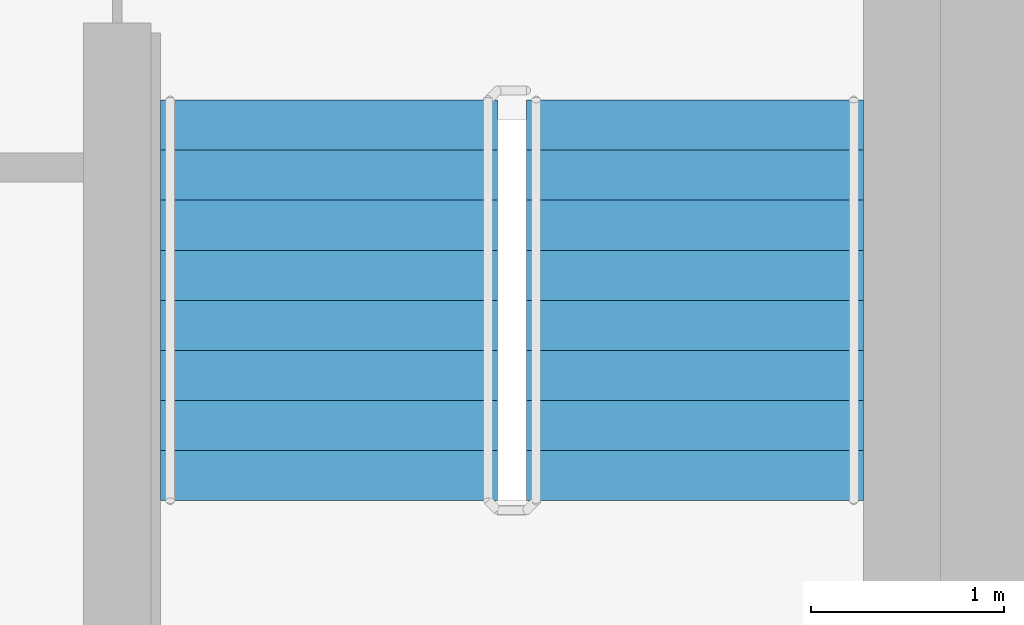
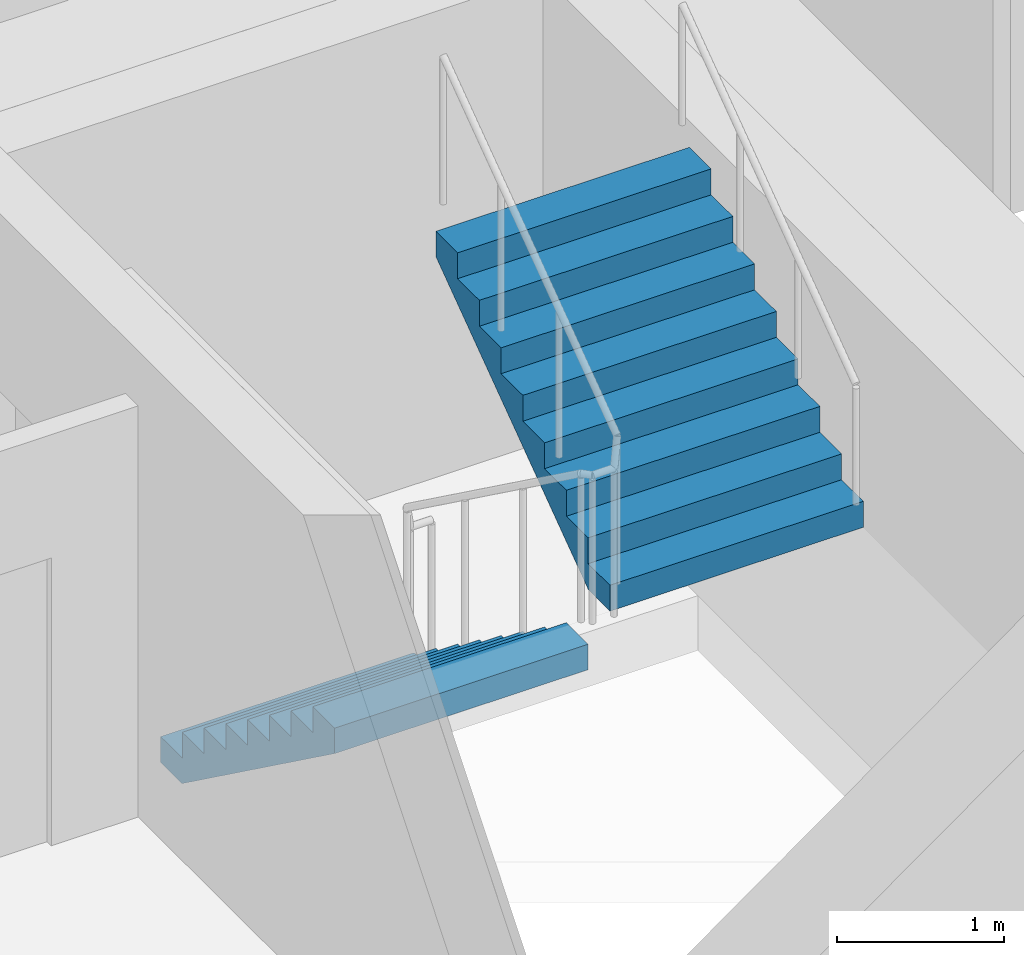
# One storey, part 14 of 18: 2 stair flights, 1 element without a shape of its own.
"""IFC4 building model written with IfcOpenShell, lengths in metres."""

from ifc_helpers import new_model, si_unit, direction, frame, origin, place, context, subcontext, project, spatial, faceted_brep, material, type_object, element, aggregate, save


model = new_model("IFC4")

# Units and contexts
model_context = context("Model", 3, precision=1e-05, world=origin(), true_north=direction((0.0, 1.0)))
body_context = subcontext(model_context, "Body", "Model", "MODEL_VIEW")
ifc_project = project(units=[si_unit("LENGTHUNIT", "METRE"), si_unit("AREAUNIT", "SQUARE_METRE"), si_unit("VOLUMEUNIT", "CUBIC_METRE"), si_unit("PLANEANGLEUNIT", "RADIAN"), si_unit("MASSUNIT", "GRAM", prefix="KILO")], contexts=[model_context])

# Site, building, storey
site_placement = place(None, origin())
site = spatial("IfcSite", under=ifc_project, at=site_placement, CompositionType="ELEMENT")
building_placement = place(site_placement, origin())
building = spatial("IfcBuilding", under=site, at=building_placement, Name="Ipe Terrace Towers", CompositionType="ELEMENT")
storey_placement = place(building_placement, frame((0.0, 0.0, 150.699951171875)))
storey = spatial("IfcBuildingStorey", under=building, at=storey_placement, Name="L41", CompositionType="ELEMENT", Elevation=150.699951171875)

# Stair, stair flights
ifc_material_1 = material(Name="Concrete C30/37", Category="concrete")
stair_type = type_object("IfcStairType", Name="Protected exit stair", PredefinedType="HALF_TURN_STAIR", material=ifc_material_1)
stair_placement = place(storey_placement, origin())
stair = element("IfcStair", 1, at=stair_placement, inside=storey, type_object=stair_type, Name="L41 Exit stair T2-C2", PredefinedType="HALF_TURN_STAIR")
ifc_material_2 = material(Name="Concrete C30/37", Category="concrete")
stair_flight_type = type_object("IfcStairFlightType", Name="Exit stair flight 1750", PredefinedType="STRAIGHT", material=ifc_material_2)
stair_flight_1_placement = place(storey_placement, frame((38.77490234375, -9.699951171875, 0.0), z_axis=(0.0, 0.0, 1.0), x_axis=(0.0, -1.0, 0.0)))
stair_flight_1 = element("IfcStairFlight", 2, at=stair_flight_1_placement, type_object=stair_flight_type, Name="T2-ST2 flight 1", NumberOfRisers=9, NumberOfTreads=8, PredefinedType="STRAIGHT", RiserHeight=0.188888889, TreadLength=0.26, context=body_context, shape_type="Brep", body=[
    faceted_brep([(0.255126953125, -0.875, 0.0), (2.080078125, -0.875, 1.325927734375), (2.080078125, -0.875, 1.51123046875), (1.820068359375, -0.875, 1.51123046875), (1.820068359375, -0.875, 1.322265625), (1.56005859375, -0.875, 1.322265625), (1.56005859375, -0.875, 1.13330078125), (1.300048828125, -0.875, 1.13330078125), (1.300048828125, -0.875, 0.9443359375), (1.0400390625, -0.875, 0.9443359375), (1.0400390625, -0.875, 0.755615234375), (0.780029296875, -0.875, 0.755615234375), (0.780029296875, -0.875, 0.566650390625), (0.52001953125, -0.875, 0.566650390625), (0.52001953125, -0.875, 0.377685546875), (0.260009765625, -0.875, 0.377685546875), (0.260009765625, -0.875, 0.18896484375), (0.0, -0.875, 0.18896484375), (0.0, -0.875, 0.0), (0.0, 0.875, 0.0), (0.0, 0.875, 0.18896484375), (0.260009765625, 0.875, 0.18896484375), (0.260009765625, 0.875, 0.377685546875), (0.52001953125, 0.875, 0.377685546875), (0.52001953125, 0.875, 0.566650390625), (0.780029296875, 0.875, 0.566650390625), (0.780029296875, 0.875, 0.755615234375), (1.0400390625, 0.875, 0.755615234375), (1.0400390625, 0.875, 0.9443359375), (1.300048828125, 0.875, 0.9443359375), (1.300048828125, 0.875, 1.13330078125), (1.56005859375, 0.875, 1.13330078125), (1.56005859375, 0.875, 1.322265625), (1.820068359375, 0.875, 1.322265625), (1.820068359375, 0.875, 1.51123046875), (2.080078125, 0.875, 1.51123046875), (2.080078125, 0.875, 1.325927734375), (0.255126953125, 0.875, 0.0), (0.0, -0.300048828125, 0.18896484375), (0.0, -0.1201171875, 0.18896484375), (0.0, -0.06005859375, 0.18896484375), (0.0, -0.030029296875, 0.18896484375), (0.0, -0.010009765625, 0.18896484375), (0.0, 0.0, 0.18896484375), (0.0, 0.010009765625, 0.18896484375), (0.0, 0.030029296875, 0.18896484375), (0.0, 0.06005859375, 0.18896484375), (0.0, 0.1201171875, 0.18896484375), (0.0, 0.300048828125, 0.18896484375), (0.0, 0.300048828125, 0.0), (0.0, 0.1201171875, 0.0), (0.0, 0.06005859375, 0.0), (0.0, 0.030029296875, 0.0), (0.0, 0.010009765625, 0.0), (0.0, 0.0, 0.0), (0.0, -0.010009765625, 0.0), (0.0, -0.030029296875, 0.0), (0.0, -0.06005859375, 0.0), (0.0, -0.1201171875, 0.0), (0.0, -0.300048828125, 0.0), (0.260009765625, -0.300048828125, 0.18896484375), (0.260009765625, -0.1201171875, 0.18896484375), (0.260009765625, -0.06005859375, 0.18896484375), (0.260009765625, -0.030029296875, 0.18896484375), (0.260009765625, -0.010009765625, 0.18896484375), (0.260009765625, 0.0, 0.18896484375), (0.260009765625, 0.010009765625, 0.18896484375), (0.260009765625, 0.030029296875, 0.18896484375), (0.260009765625, 0.06005859375, 0.18896484375), (0.260009765625, 0.1201171875, 0.18896484375), (0.260009765625, 0.300048828125, 0.18896484375), (0.260009765625, -0.300048828125, 0.377685546875), (0.260009765625, -0.1201171875, 0.377685546875), (0.260009765625, -0.06005859375, 0.377685546875), (0.260009765625, -0.030029296875, 0.377685546875), (0.260009765625, -0.010009765625, 0.377685546875), (0.260009765625, 0.0, 0.377685546875), (0.260009765625, 0.010009765625, 0.377685546875), (0.260009765625, 0.030029296875, 0.377685546875), (0.260009765625, 0.06005859375, 0.377685546875), (0.260009765625, 0.1201171875, 0.377685546875), (0.260009765625, 0.300048828125, 0.377685546875), (0.52001953125, -0.300048828125, 0.377685546875), (0.52001953125, -0.1201171875, 0.377685546875), (0.52001953125, -0.06005859375, 0.377685546875), (0.52001953125, -0.030029296875, 0.377685546875), (0.52001953125, -0.010009765625, 0.377685546875), (0.52001953125, 0.0, 0.377685546875), (0.52001953125, 0.010009765625, 0.377685546875), (0.52001953125, 0.030029296875, 0.377685546875), (0.52001953125, 0.06005859375, 0.377685546875), (0.52001953125, 0.1201171875, 0.377685546875), (0.52001953125, 0.300048828125, 0.377685546875), (0.52001953125, -0.300048828125, 0.566650390625), (0.52001953125, -0.1201171875, 0.566650390625), (0.52001953125, -0.06005859375, 0.566650390625), (0.52001953125, -0.030029296875, 0.566650390625), (0.52001953125, -0.010009765625, 0.566650390625), (0.52001953125, 0.0, 0.566650390625), (0.52001953125, 0.010009765625, 0.566650390625), (0.52001953125, 0.030029296875, 0.566650390625), (0.52001953125, 0.06005859375, 0.566650390625), (0.52001953125, 0.1201171875, 0.566650390625), (0.52001953125, 0.300048828125, 0.566650390625), (0.780029296875, -0.300048828125, 0.566650390625), (0.780029296875, -0.1201171875, 0.566650390625), (0.780029296875, -0.06005859375, 0.566650390625), (0.780029296875, -0.030029296875, 0.566650390625), (0.780029296875, -0.010009765625, 0.566650390625), (0.780029296875, 0.0, 0.566650390625), (0.780029296875, 0.010009765625, 0.566650390625), (0.780029296875, 0.030029296875, 0.566650390625), (0.780029296875, 0.06005859375, 0.566650390625), (0.780029296875, 0.1201171875, 0.566650390625), (0.780029296875, 0.300048828125, 0.566650390625), (0.780029296875, -0.300048828125, 0.755615234375), (0.780029296875, -0.1201171875, 0.755615234375), (0.780029296875, -0.06005859375, 0.755615234375), (0.780029296875, -0.030029296875, 0.755615234375), (0.780029296875, -0.010009765625, 0.755615234375), (0.780029296875, 0.0, 0.755615234375), (0.780029296875, 0.010009765625, 0.755615234375), (0.780029296875, 0.030029296875, 0.755615234375), (0.780029296875, 0.06005859375, 0.755615234375), (0.780029296875, 0.1201171875, 0.755615234375), (0.780029296875, 0.300048828125, 0.755615234375), (1.0400390625, -0.300048828125, 0.755615234375), (1.0400390625, -0.1201171875, 0.755615234375), (1.0400390625, -0.06005859375, 0.755615234375), (1.0400390625, -0.030029296875, 0.755615234375), (1.0400390625, -0.010009765625, 0.755615234375), (1.0400390625, 0.0, 0.755615234375), (1.0400390625, 0.010009765625, 0.755615234375), (1.0400390625, 0.030029296875, 0.755615234375), (1.0400390625, 0.06005859375, 0.755615234375), (1.0400390625, 0.1201171875, 0.755615234375), (1.0400390625, 0.300048828125, 0.755615234375), (1.0400390625, -0.300048828125, 0.9443359375), (1.0400390625, -0.1201171875, 0.9443359375), (1.0400390625, -0.06005859375, 0.9443359375), (1.0400390625, -0.030029296875, 0.9443359375), (1.0400390625, -0.010009765625, 0.9443359375), (1.0400390625, 0.0, 0.9443359375), (1.0400390625, 0.010009765625, 0.9443359375), (1.0400390625, 0.030029296875, 0.9443359375), (1.0400390625, 0.06005859375, 0.9443359375), (1.0400390625, 0.1201171875, 0.9443359375), (1.0400390625, 0.300048828125, 0.9443359375), (1.300048828125, -0.300048828125, 0.9443359375), (1.300048828125, -0.1201171875, 0.9443359375), (1.300048828125, -0.06005859375, 0.9443359375), (1.300048828125, -0.030029296875, 0.9443359375), (1.300048828125, -0.010009765625, 0.9443359375), (1.300048828125, 0.0, 0.9443359375), (1.300048828125, 0.010009765625, 0.9443359375), (1.300048828125, 0.030029296875, 0.9443359375), (1.300048828125, 0.06005859375, 0.9443359375), (1.300048828125, 0.1201171875, 0.9443359375), (1.300048828125, 0.300048828125, 0.9443359375), (1.300048828125, -0.300048828125, 1.13330078125), (1.300048828125, -0.1201171875, 1.13330078125), (1.300048828125, -0.06005859375, 1.13330078125), (1.300048828125, -0.030029296875, 1.13330078125), (1.300048828125, -0.010009765625, 1.13330078125), (1.300048828125, 0.0, 1.13330078125), (1.300048828125, 0.010009765625, 1.13330078125), (1.300048828125, 0.030029296875, 1.13330078125), (1.300048828125, 0.06005859375, 1.13330078125), (1.300048828125, 0.1201171875, 1.13330078125), (1.300048828125, 0.300048828125, 1.13330078125), (1.56005859375, -0.300048828125, 1.13330078125), (1.56005859375, -0.1201171875, 1.13330078125), (1.56005859375, -0.06005859375, 1.13330078125), (1.56005859375, -0.030029296875, 1.13330078125), (1.56005859375, -0.010009765625, 1.13330078125), (1.56005859375, 0.0, 1.13330078125), (1.56005859375, 0.010009765625, 1.13330078125), (1.56005859375, 0.030029296875, 1.13330078125), (1.56005859375, 0.06005859375, 1.13330078125), (1.56005859375, 0.1201171875, 1.13330078125), (1.56005859375, 0.300048828125, 1.13330078125), (1.56005859375, -0.300048828125, 1.322265625), (1.56005859375, -0.1201171875, 1.322265625), (1.56005859375, -0.06005859375, 1.322265625), (1.56005859375, -0.030029296875, 1.322265625), (1.56005859375, -0.010009765625, 1.322265625), (1.56005859375, 0.0, 1.322265625), (1.56005859375, 0.010009765625, 1.322265625), (1.56005859375, 0.030029296875, 1.322265625), (1.56005859375, 0.06005859375, 1.322265625), (1.56005859375, 0.1201171875, 1.322265625), (1.56005859375, 0.300048828125, 1.322265625), (1.820068359375, -0.300048828125, 1.322265625), (1.820068359375, -0.1201171875, 1.322265625), (1.820068359375, -0.06005859375, 1.322265625), (1.820068359375, -0.030029296875, 1.322265625), (1.820068359375, -0.010009765625, 1.322265625), (1.820068359375, 0.0, 1.322265625), (1.820068359375, 0.010009765625, 1.322265625), (1.820068359375, 0.030029296875, 1.322265625), (1.820068359375, 0.06005859375, 1.322265625), (1.820068359375, 0.1201171875, 1.322265625), (1.820068359375, 0.300048828125, 1.322265625), (1.820068359375, -0.300048828125, 1.51123046875), (1.820068359375, -0.1201171875, 1.51123046875), (1.820068359375, -0.06005859375, 1.51123046875), (1.820068359375, -0.030029296875, 1.51123046875), (1.820068359375, -0.010009765625, 1.51123046875), (1.820068359375, 0.0, 1.51123046875), (1.820068359375, 0.010009765625, 1.51123046875), (1.820068359375, 0.030029296875, 1.51123046875), (1.820068359375, 0.06005859375, 1.51123046875), (1.820068359375, 0.1201171875, 1.51123046875), (1.820068359375, 0.300048828125, 1.51123046875), (2.080078125, -0.300048828125, 1.51123046875), (2.080078125, -0.1201171875, 1.51123046875), (2.080078125, -0.06005859375, 1.51123046875), (2.080078125, -0.030029296875, 1.51123046875), (2.080078125, -0.010009765625, 1.51123046875), (2.080078125, 0.0, 1.51123046875), (2.080078125, 0.010009765625, 1.51123046875), (2.080078125, 0.030029296875, 1.51123046875), (2.080078125, 0.06005859375, 1.51123046875), (2.080078125, 0.1201171875, 1.51123046875), (2.080078125, 0.300048828125, 1.51123046875), (2.080078125, -0.300048828125, 1.325927734375), (2.080078125, -0.1201171875, 1.325927734375), (2.080078125, -0.06005859375, 1.325927734375), (2.080078125, -0.030029296875, 1.325927734375), (2.080078125, -0.010009765625, 1.325927734375), (2.080078125, 0.0, 1.325927734375), (2.080078125, 0.010009765625, 1.325927734375), (2.080078125, 0.030029296875, 1.325927734375), (2.080078125, 0.06005859375, 1.325927734375), (2.080078125, 0.1201171875, 1.325927734375), (2.080078125, 0.300048828125, 1.325927734375), (0.255126953125, -0.300048828125, 0.0), (0.255126953125, -0.1201171875, 0.0), (0.255126953125, -0.06005859375, 0.0), (0.255126953125, -0.030029296875, 0.0), (0.255126953125, -0.010009765625, 0.0), (0.255126953125, 0.0, 0.0), (0.255126953125, 0.010009765625, 0.0), (0.255126953125, 0.030029296875, 0.0), (0.255126953125, 0.06005859375, 0.0), (0.255126953125, 0.1201171875, 0.0), (0.255126953125, 0.300048828125, 0.0)], [[[0, 1, 2, 3, 4, 5, 6, 7, 8, 9, 10, 11, 12, 13, 14, 15, 16, 17, 18]], [[19, 20, 21, 22, 23, 24, 25, 26, 27, 28, 29, 30, 31, 32, 33, 34, 35, 36, 37]], [[17, 38, 39, 40, 41, 42, 43, 44, 45, 46, 47, 48, 20, 19, 49, 50, 51, 52, 53, 54, 55, 56, 57, 58, 59, 18]], [[16, 60, 61, 62, 63, 64, 65, 66, 67, 68, 69, 70, 21, 20, 48, 47, 46, 45, 44, 43, 42, 41, 40, 39, 38, 17]], [[15, 71, 72, 73, 74, 75, 76, 77, 78, 79, 80, 81, 22, 21, 70, 69, 68, 67, 66, 65, 64, 63, 62, 61, 60, 16]], [[14, 82, 83, 84, 85, 86, 87, 88, 89, 90, 91, 92, 23, 22, 81, 80, 79, 78, 77, 76, 75, 74, 73, 72, 71, 15]], [[13, 93, 94, 95, 96, 97, 98, 99, 100, 101, 102, 103, 24, 23, 92, 91, 90, 89, 88, 87, 86, 85, 84, 83, 82, 14]], [[12, 104, 105, 106, 107, 108, 109, 110, 111, 112, 113, 114, 25, 24, 103, 102, 101, 100, 99, 98, 97, 96, 95, 94, 93, 13]], [[11, 115, 116, 117, 118, 119, 120, 121, 122, 123, 124, 125, 26, 25, 114, 113, 112, 111, 110, 109, 108, 107, 106, 105, 104, 12]], [[10, 126, 127, 128, 129, 130, 131, 132, 133, 134, 135, 136, 27, 26, 125, 124, 123, 122, 121, 120, 119, 118, 117, 116, 115, 11]], [[9, 137, 138, 139, 140, 141, 142, 143, 144, 145, 146, 147, 28, 27, 136, 135, 134, 133, 132, 131, 130, 129, 128, 127, 126, 10]], [[8, 148, 149, 150, 151, 152, 153, 154, 155, 156, 157, 158, 29, 28, 147, 146, 145, 144, 143, 142, 141, 140, 139, 138, 137, 9]], [[7, 159, 160, 161, 162, 163, 164, 165, 166, 167, 168, 169, 30, 29, 158, 157, 156, 155, 154, 153, 152, 151, 150, 149, 148, 8]], [[6, 170, 171, 172, 173, 174, 175, 176, 177, 178, 179, 180, 31, 30, 169, 168, 167, 166, 165, 164, 163, 162, 161, 160, 159, 7]], [[5, 181, 182, 183, 184, 185, 186, 187, 188, 189, 190, 191, 32, 31, 180, 179, 178, 177, 176, 175, 174, 173, 172, 171, 170, 6]], [[4, 192, 193, 194, 195, 196, 197, 198, 199, 200, 201, 202, 33, 32, 191, 190, 189, 188, 187, 186, 185, 184, 183, 182, 181, 5]], [[3, 203, 204, 205, 206, 207, 208, 209, 210, 211, 212, 213, 34, 33, 202, 201, 200, 199, 198, 197, 196, 195, 194, 193, 192, 4]], [[2, 214, 215, 216, 217, 218, 219, 220, 221, 222, 223, 224, 35, 34, 213, 212, 211, 210, 209, 208, 207, 206, 205, 204, 203, 3]], [[1, 225, 226, 227, 228, 229, 230, 231, 232, 233, 234, 235, 36, 35, 224, 223, 222, 221, 220, 219, 218, 217, 216, 215, 214, 2]], [[0, 236, 237, 238, 239, 240, 241, 242, 243, 244, 245, 246, 37, 36, 235, 234, 233, 232, 231, 230, 229, 228, 227, 226, 225, 1]], [[18, 59, 58, 57, 56, 55, 54, 53, 52, 51, 50, 49, 19, 37, 246, 245, 244, 243, 242, 241, 240, 239, 238, 237, 236, 0]]]),
])
stair_flight_2_placement = place(storey_placement, frame((40.675048828125, -11.780029296875, 1.699951171875), z_axis=(0.0, 0.0, 1.0), x_axis=(0.0, 1.0, 0.0)))
stair_flight_2 = element("IfcStairFlight", 3, at=stair_flight_2_placement, type_object=stair_flight_type, Name="T2-ST2 flight 2", NumberOfRisers=9, NumberOfTreads=8, PredefinedType="STRAIGHT", RiserHeight=0.188888889, TreadLength=0.26, context=body_context, shape_type="Brep", body=[
    faceted_brep([(0.255126953125, -0.875, 0.0), (2.080078125, -0.875, 1.325927734375), (2.080078125, -0.875, 1.51123046875), (1.820068359375, -0.875, 1.51123046875), (1.820068359375, -0.875, 1.322265625), (1.56005859375, -0.875, 1.322265625), (1.56005859375, -0.875, 1.13330078125), (1.300048828125, -0.875, 1.13330078125), (1.300048828125, -0.875, 0.9443359375), (1.0400390625, -0.875, 0.9443359375), (1.0400390625, -0.875, 0.755615234375), (0.780029296875, -0.875, 0.755615234375), (0.780029296875, -0.875, 0.566650390625), (0.52001953125, -0.875, 0.566650390625), (0.52001953125, -0.875, 0.377685546875), (0.260009765625, -0.875, 0.377685546875), (0.260009765625, -0.875, 0.18896484375), (0.0, -0.875, 0.18896484375), (0.0, -0.875, 0.0), (0.0, 0.875, 0.0), (0.0, 0.875, 0.18896484375), (0.260009765625, 0.875, 0.18896484375), (0.260009765625, 0.875, 0.377685546875), (0.52001953125, 0.875, 0.377685546875), (0.52001953125, 0.875, 0.566650390625), (0.780029296875, 0.875, 0.566650390625), (0.780029296875, 0.875, 0.755615234375), (1.0400390625, 0.875, 0.755615234375), (1.0400390625, 0.875, 0.9443359375), (1.300048828125, 0.875, 0.9443359375), (1.300048828125, 0.875, 1.13330078125), (1.56005859375, 0.875, 1.13330078125), (1.56005859375, 0.875, 1.322265625), (1.820068359375, 0.875, 1.322265625), (1.820068359375, 0.875, 1.51123046875), (2.080078125, 0.875, 1.51123046875), (2.080078125, 0.875, 1.325927734375), (0.255126953125, 0.875, 0.0), (0.0, -0.300048828125, 0.18896484375), (0.0, -0.1201171875, 0.18896484375), (0.0, -0.06005859375, 0.18896484375), (0.0, -0.030029296875, 0.18896484375), (0.0, -0.010009765625, 0.18896484375), (0.0, 0.0, 0.18896484375), (0.0, 0.010009765625, 0.18896484375), (0.0, 0.030029296875, 0.18896484375), (0.0, 0.06005859375, 0.18896484375), (0.0, 0.1201171875, 0.18896484375), (0.0, 0.300048828125, 0.18896484375), (0.0, 0.300048828125, 0.0), (0.0, 0.1201171875, 0.0), (0.0, 0.06005859375, 0.0), (0.0, 0.030029296875, 0.0), (0.0, 0.010009765625, 0.0), (0.0, 0.0, 0.0), (0.0, -0.010009765625, 0.0), (0.0, -0.030029296875, 0.0), (0.0, -0.06005859375, 0.0), (0.0, -0.1201171875, 0.0), (0.0, -0.300048828125, 0.0), (0.260009765625, -0.300048828125, 0.18896484375), (0.260009765625, -0.1201171875, 0.18896484375), (0.260009765625, -0.06005859375, 0.18896484375), (0.260009765625, -0.030029296875, 0.18896484375), (0.260009765625, -0.010009765625, 0.18896484375), (0.260009765625, 0.0, 0.18896484375), (0.260009765625, 0.010009765625, 0.18896484375), (0.260009765625, 0.030029296875, 0.18896484375), (0.260009765625, 0.06005859375, 0.18896484375), (0.260009765625, 0.1201171875, 0.18896484375), (0.260009765625, 0.300048828125, 0.18896484375), (0.260009765625, -0.300048828125, 0.377685546875), (0.260009765625, -0.1201171875, 0.377685546875), (0.260009765625, -0.06005859375, 0.377685546875), (0.260009765625, -0.030029296875, 0.377685546875), (0.260009765625, -0.010009765625, 0.377685546875), (0.260009765625, 0.0, 0.377685546875), (0.260009765625, 0.010009765625, 0.377685546875), (0.260009765625, 0.030029296875, 0.377685546875), (0.260009765625, 0.06005859375, 0.377685546875), (0.260009765625, 0.1201171875, 0.377685546875), (0.260009765625, 0.300048828125, 0.377685546875), (0.52001953125, -0.300048828125, 0.377685546875), (0.52001953125, -0.1201171875, 0.377685546875), (0.52001953125, -0.06005859375, 0.377685546875), (0.52001953125, -0.030029296875, 0.377685546875), (0.52001953125, -0.010009765625, 0.377685546875), (0.52001953125, 0.0, 0.377685546875), (0.52001953125, 0.010009765625, 0.377685546875), (0.52001953125, 0.030029296875, 0.377685546875), (0.52001953125, 0.06005859375, 0.377685546875), (0.52001953125, 0.1201171875, 0.377685546875), (0.52001953125, 0.300048828125, 0.377685546875), (0.52001953125, -0.300048828125, 0.566650390625), (0.52001953125, -0.1201171875, 0.566650390625), (0.52001953125, -0.06005859375, 0.566650390625), (0.52001953125, -0.030029296875, 0.566650390625), (0.52001953125, -0.010009765625, 0.566650390625), (0.52001953125, 0.0, 0.566650390625), (0.52001953125, 0.010009765625, 0.566650390625), (0.52001953125, 0.030029296875, 0.566650390625), (0.52001953125, 0.06005859375, 0.566650390625), (0.52001953125, 0.1201171875, 0.566650390625), (0.52001953125, 0.300048828125, 0.566650390625), (0.780029296875, -0.300048828125, 0.566650390625), (0.780029296875, -0.1201171875, 0.566650390625), (0.780029296875, -0.06005859375, 0.566650390625), (0.780029296875, -0.030029296875, 0.566650390625), (0.780029296875, -0.010009765625, 0.566650390625), (0.780029296875, 0.0, 0.566650390625), (0.780029296875, 0.010009765625, 0.566650390625), (0.780029296875, 0.030029296875, 0.566650390625), (0.780029296875, 0.06005859375, 0.566650390625), (0.780029296875, 0.1201171875, 0.566650390625), (0.780029296875, 0.300048828125, 0.566650390625), (0.780029296875, -0.300048828125, 0.755615234375), (0.780029296875, -0.1201171875, 0.755615234375), (0.780029296875, -0.06005859375, 0.755615234375), (0.780029296875, -0.030029296875, 0.755615234375), (0.780029296875, -0.010009765625, 0.755615234375), (0.780029296875, 0.0, 0.755615234375), (0.780029296875, 0.010009765625, 0.755615234375), (0.780029296875, 0.030029296875, 0.755615234375), (0.780029296875, 0.06005859375, 0.755615234375), (0.780029296875, 0.1201171875, 0.755615234375), (0.780029296875, 0.300048828125, 0.755615234375), (1.0400390625, -0.300048828125, 0.755615234375), (1.0400390625, -0.1201171875, 0.755615234375), (1.0400390625, -0.06005859375, 0.755615234375), (1.0400390625, -0.030029296875, 0.755615234375), (1.0400390625, -0.010009765625, 0.755615234375), (1.0400390625, 0.0, 0.755615234375), (1.0400390625, 0.010009765625, 0.755615234375), (1.0400390625, 0.030029296875, 0.755615234375), (1.0400390625, 0.06005859375, 0.755615234375), (1.0400390625, 0.1201171875, 0.755615234375), (1.0400390625, 0.300048828125, 0.755615234375), (1.0400390625, -0.300048828125, 0.9443359375), (1.0400390625, -0.1201171875, 0.9443359375), (1.0400390625, -0.06005859375, 0.9443359375), (1.0400390625, -0.030029296875, 0.9443359375), (1.0400390625, -0.010009765625, 0.9443359375), (1.0400390625, 0.0, 0.9443359375), (1.0400390625, 0.010009765625, 0.9443359375), (1.0400390625, 0.030029296875, 0.9443359375), (1.0400390625, 0.06005859375, 0.9443359375), (1.0400390625, 0.1201171875, 0.9443359375), (1.0400390625, 0.300048828125, 0.9443359375), (1.300048828125, -0.300048828125, 0.9443359375), (1.300048828125, -0.1201171875, 0.9443359375), (1.300048828125, -0.06005859375, 0.9443359375), (1.300048828125, -0.030029296875, 0.9443359375), (1.300048828125, -0.010009765625, 0.9443359375), (1.300048828125, 0.0, 0.9443359375), (1.300048828125, 0.010009765625, 0.9443359375), (1.300048828125, 0.030029296875, 0.9443359375), (1.300048828125, 0.06005859375, 0.9443359375), (1.300048828125, 0.1201171875, 0.9443359375), (1.300048828125, 0.300048828125, 0.9443359375), (1.300048828125, -0.300048828125, 1.13330078125), (1.300048828125, -0.1201171875, 1.13330078125), (1.300048828125, -0.06005859375, 1.13330078125), (1.300048828125, -0.030029296875, 1.13330078125), (1.300048828125, -0.010009765625, 1.13330078125), (1.300048828125, 0.0, 1.13330078125), (1.300048828125, 0.010009765625, 1.13330078125), (1.300048828125, 0.030029296875, 1.13330078125), (1.300048828125, 0.06005859375, 1.13330078125), (1.300048828125, 0.1201171875, 1.13330078125), (1.300048828125, 0.300048828125, 1.13330078125), (1.56005859375, -0.300048828125, 1.13330078125), (1.56005859375, -0.1201171875, 1.13330078125), (1.56005859375, -0.06005859375, 1.13330078125), (1.56005859375, -0.030029296875, 1.13330078125), (1.56005859375, -0.010009765625, 1.13330078125), (1.56005859375, 0.0, 1.13330078125), (1.56005859375, 0.010009765625, 1.13330078125), (1.56005859375, 0.030029296875, 1.13330078125), (1.56005859375, 0.06005859375, 1.13330078125), (1.56005859375, 0.1201171875, 1.13330078125), (1.56005859375, 0.300048828125, 1.13330078125), (1.56005859375, -0.300048828125, 1.322265625), (1.56005859375, -0.1201171875, 1.322265625), (1.56005859375, -0.06005859375, 1.322265625), (1.56005859375, -0.030029296875, 1.322265625), (1.56005859375, -0.010009765625, 1.322265625), (1.56005859375, 0.0, 1.322265625), (1.56005859375, 0.010009765625, 1.322265625), (1.56005859375, 0.030029296875, 1.322265625), (1.56005859375, 0.06005859375, 1.322265625), (1.56005859375, 0.1201171875, 1.322265625), (1.56005859375, 0.300048828125, 1.322265625), (1.820068359375, -0.300048828125, 1.322265625), (1.820068359375, -0.1201171875, 1.322265625), (1.820068359375, -0.06005859375, 1.322265625), (1.820068359375, -0.030029296875, 1.322265625), (1.820068359375, -0.010009765625, 1.322265625), (1.820068359375, 0.0, 1.322265625), (1.820068359375, 0.010009765625, 1.322265625), (1.820068359375, 0.030029296875, 1.322265625), (1.820068359375, 0.06005859375, 1.322265625), (1.820068359375, 0.1201171875, 1.322265625), (1.820068359375, 0.300048828125, 1.322265625), (1.820068359375, -0.300048828125, 1.51123046875), (1.820068359375, -0.1201171875, 1.51123046875), (1.820068359375, -0.06005859375, 1.51123046875), (1.820068359375, -0.030029296875, 1.51123046875), (1.820068359375, -0.010009765625, 1.51123046875), (1.820068359375, 0.0, 1.51123046875), (1.820068359375, 0.010009765625, 1.51123046875), (1.820068359375, 0.030029296875, 1.51123046875), (1.820068359375, 0.06005859375, 1.51123046875), (1.820068359375, 0.1201171875, 1.51123046875), (1.820068359375, 0.300048828125, 1.51123046875), (2.080078125, -0.300048828125, 1.51123046875), (2.080078125, -0.1201171875, 1.51123046875), (2.080078125, -0.06005859375, 1.51123046875), (2.080078125, -0.030029296875, 1.51123046875), (2.080078125, -0.010009765625, 1.51123046875), (2.080078125, 0.0, 1.51123046875), (2.080078125, 0.010009765625, 1.51123046875), (2.080078125, 0.030029296875, 1.51123046875), (2.080078125, 0.06005859375, 1.51123046875), (2.080078125, 0.1201171875, 1.51123046875), (2.080078125, 0.300048828125, 1.51123046875), (2.080078125, -0.300048828125, 1.325927734375), (2.080078125, -0.1201171875, 1.325927734375), (2.080078125, -0.06005859375, 1.325927734375), (2.080078125, -0.030029296875, 1.325927734375), (2.080078125, -0.010009765625, 1.325927734375), (2.080078125, 0.0, 1.325927734375), (2.080078125, 0.010009765625, 1.325927734375), (2.080078125, 0.030029296875, 1.325927734375), (2.080078125, 0.06005859375, 1.325927734375), (2.080078125, 0.1201171875, 1.325927734375), (2.080078125, 0.300048828125, 1.325927734375), (0.255126953125, -0.300048828125, 0.0), (0.255126953125, -0.1201171875, 0.0), (0.255126953125, -0.06005859375, 0.0), (0.255126953125, -0.030029296875, 0.0), (0.255126953125, -0.010009765625, 0.0), (0.255126953125, 0.0, 0.0), (0.255126953125, 0.010009765625, 0.0), (0.255126953125, 0.030029296875, 0.0), (0.255126953125, 0.06005859375, 0.0), (0.255126953125, 0.1201171875, 0.0), (0.255126953125, 0.300048828125, 0.0)], [[[0, 1, 2, 3, 4, 5, 6, 7, 8, 9, 10, 11, 12, 13, 14, 15, 16, 17, 18]], [[19, 20, 21, 22, 23, 24, 25, 26, 27, 28, 29, 30, 31, 32, 33, 34, 35, 36, 37]], [[17, 38, 39, 40, 41, 42, 43, 44, 45, 46, 47, 48, 20, 19, 49, 50, 51, 52, 53, 54, 55, 56, 57, 58, 59, 18]], [[16, 60, 61, 62, 63, 64, 65, 66, 67, 68, 69, 70, 21, 20, 48, 47, 46, 45, 44, 43, 42, 41, 40, 39, 38, 17]], [[15, 71, 72, 73, 74, 75, 76, 77, 78, 79, 80, 81, 22, 21, 70, 69, 68, 67, 66, 65, 64, 63, 62, 61, 60, 16]], [[14, 82, 83, 84, 85, 86, 87, 88, 89, 90, 91, 92, 23, 22, 81, 80, 79, 78, 77, 76, 75, 74, 73, 72, 71, 15]], [[13, 93, 94, 95, 96, 97, 98, 99, 100, 101, 102, 103, 24, 23, 92, 91, 90, 89, 88, 87, 86, 85, 84, 83, 82, 14]], [[12, 104, 105, 106, 107, 108, 109, 110, 111, 112, 113, 114, 25, 24, 103, 102, 101, 100, 99, 98, 97, 96, 95, 94, 93, 13]], [[11, 115, 116, 117, 118, 119, 120, 121, 122, 123, 124, 125, 26, 25, 114, 113, 112, 111, 110, 109, 108, 107, 106, 105, 104, 12]], [[10, 126, 127, 128, 129, 130, 131, 132, 133, 134, 135, 136, 27, 26, 125, 124, 123, 122, 121, 120, 119, 118, 117, 116, 115, 11]], [[9, 137, 138, 139, 140, 141, 142, 143, 144, 145, 146, 147, 28, 27, 136, 135, 134, 133, 132, 131, 130, 129, 128, 127, 126, 10]], [[8, 148, 149, 150, 151, 152, 153, 154, 155, 156, 157, 158, 29, 28, 147, 146, 145, 144, 143, 142, 141, 140, 139, 138, 137, 9]], [[7, 159, 160, 161, 162, 163, 164, 165, 166, 167, 168, 169, 30, 29, 158, 157, 156, 155, 154, 153, 152, 151, 150, 149, 148, 8]], [[6, 170, 171, 172, 173, 174, 175, 176, 177, 178, 179, 180, 31, 30, 169, 168, 167, 166, 165, 164, 163, 162, 161, 160, 159, 7]], [[5, 181, 182, 183, 184, 185, 186, 187, 188, 189, 190, 191, 32, 31, 180, 179, 178, 177, 176, 175, 174, 173, 172, 171, 170, 6]], [[4, 192, 193, 194, 195, 196, 197, 198, 199, 200, 201, 202, 33, 32, 191, 190, 189, 188, 187, 186, 185, 184, 183, 182, 181, 5]], [[3, 203, 204, 205, 206, 207, 208, 209, 210, 211, 212, 213, 34, 33, 202, 201, 200, 199, 198, 197, 196, 195, 194, 193, 192, 4]], [[2, 214, 215, 216, 217, 218, 219, 220, 221, 222, 223, 224, 35, 34, 213, 212, 211, 210, 209, 208, 207, 206, 205, 204, 203, 3]], [[1, 225, 226, 227, 228, 229, 230, 231, 232, 233, 234, 235, 36, 35, 224, 223, 222, 221, 220, 219, 218, 217, 216, 215, 214, 2]], [[0, 236, 237, 238, 239, 240, 241, 242, 243, 244, 245, 246, 37, 36, 235, 234, 233, 232, 231, 230, 229, 228, 227, 226, 225, 1]], [[18, 59, 58, 57, 56, 55, 54, 53, 52, 51, 50, 49, 19, 37, 246, 245, 244, 243, 242, 241, 240, 239, 238, 237, 236, 0]]]),
])
aggregate(stair, [stair_flight_1, stair_flight_2])

save(model, "model.ifc")
